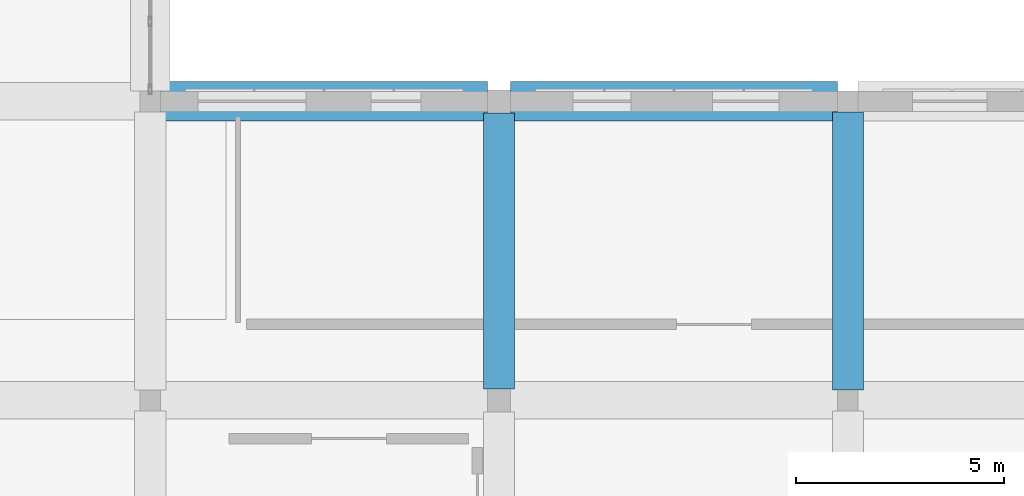
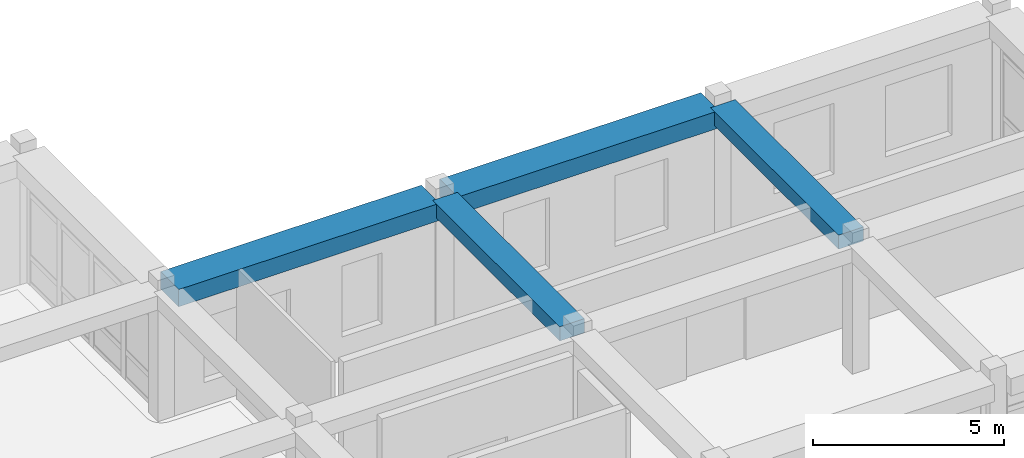
# One storey, part 59 of 121: 4 beams.
"""IFC4 building model written with IfcOpenShell, lengths in metres."""

import ifcopenshell
import ifcopenshell.guid

model = None  # the IFC model being written
_history = None  # IfcOwnerHistory: only IFC2X3 demands one
_inside = {}  # id of a spatial element -> (the spatial element, [elements in it])
_under = {}  # id of a project, library or spatial element -> (it, [spatial elements below it])
_declared = {}  # id of a project -> (the project, [libraries it declares])
_typed = {}  # id of a type object -> (the type object, [elements of that type])
_made_of = {}  # id of a material, layer set ... -> (it, [elements and type objects made of it])


def new_model(schema):
    """Start an empty IFC model of exactly this schema.

    Asked for "IFC4X3", IfcOpenShell would pick the latest addendum, in which some entities
    have other attributes; the version numbers below select the first issue.
    IFC2X3 requires an IfcOwnerHistory on every rooted entity: one is made here for all.
    """
    global model, _history
    if schema == "IFC4X3":
        model = ifcopenshell.file(schema_version=(4, 3, 0, 0))
    else:
        model = ifcopenshell.file(schema=schema)
    _inside.clear()
    _under.clear()
    _declared.clear()
    _typed.clear()
    _made_of.clear()
    _history = None
    if model.schema == "IFC2X3":
        org = make("IfcOrganization", Name="unknown")
        user = make(
            "IfcPersonAndOrganization",
            ThePerson=make("IfcPerson", FamilyName="unknown"),
            TheOrganization=org,
        )
        app = make(
            "IfcApplication",
            ApplicationDeveloper=org,
            Version="unknown",
            ApplicationFullName="unknown",
            ApplicationIdentifier="unknown",
        )
        _history = make(
            "IfcOwnerHistory",
            OwningUser=user,
            OwningApplication=app,
            ChangeAction="ADDED",
            CreationDate=0,
        )
    return model


def make(cls, **values):
    """One entity of the class cls with the attributes given. An attribute that is None is left unset."""
    return model.create_entity(
        cls, **{name: value for name, value in values.items() if value is not None}
    )


def rooted(cls, **values):
    """An entity with a GlobalId (a new one), such as an element, a storey or a relation."""
    return make(cls, GlobalId=ifcopenshell.guid.new(), OwnerHistory=_history, **values)


def si_unit(unit_type, name, prefix=None):
    """IfcSIUnit, for example si_unit("LENGTHUNIT", "METRE", prefix="MILLI")."""
    return make("IfcSIUnit", UnitType=unit_type, Prefix=prefix, Name=name)


def derived_unit(unit_type, elements):
    """IfcDerivedUnit: a product of units, each with its exponent."""
    return make(
        "IfcDerivedUnit",
        Elements=[
            make("IfcDerivedUnitElement", Unit=unit, Exponent=power)
            for unit, power in elements
        ],
        UnitType=unit_type,
    )


def assignment(units):
    """IfcUnitAssignment: the units of a project."""
    return None if units is None else make("IfcUnitAssignment", Units=units)


def point(xyz):
    """IfcCartesianPoint."""
    return None if xyz is None else make("IfcCartesianPoint", Coordinates=xyz)


def direction(xyz):
    """IfcDirection."""
    return None if xyz is None else make("IfcDirection", DirectionRatios=xyz)


def frame(location, z_axis=None, x_axis=None):
    """IfcAxis2Placement3D, a coordinate frame: its origin and axes. An axis left out is left unset."""
    return make(
        "IfcAxis2Placement3D",
        Location=point(location),
        Axis=direction(z_axis),
        RefDirection=direction(x_axis),
    )


def frame_2d(location, x_axis=None):
    """IfcAxis2Placement2D, a coordinate frame in the plane: its origin and x axis."""
    return make(
        "IfcAxis2Placement2D", Location=point(location), RefDirection=direction(x_axis)
    )


def origin():
    """The frame at (0, 0, 0) with its axes left unset."""
    return frame((0.0, 0.0, 0.0))


def origin_2d():
    """The frame at (0, 0) in the plane with its x axis left unset."""
    return frame_2d((0.0, 0.0))


def place(relative_to, where):
    """IfcLocalPlacement: puts the frame where relative to a parent placement (None: the world)."""
    return make(
        "IfcLocalPlacement", PlacementRelTo=relative_to, RelativePlacement=where
    )


def context(
    kind, dimensions, precision=None, world=None, true_north=None, identifier=None
):
    """IfcGeometricRepresentationContext, for example the 3D "Model" context."""
    return make(
        "IfcGeometricRepresentationContext",
        ContextIdentifier=identifier,
        ContextType=kind,
        CoordinateSpaceDimension=dimensions,
        Precision=precision,
        WorldCoordinateSystem=world,
        TrueNorth=true_north,
    )


def subcontext(parent, identifier, kind, view, scale=None):
    """IfcGeometricRepresentationSubContext, for example "Body" below "Model"."""
    return make(
        "IfcGeometricRepresentationSubContext",
        ContextIdentifier=identifier,
        ContextType=kind,
        ParentContext=parent,
        TargetScale=scale,
        TargetView=view,
    )


def project(units=None, contexts=None):
    """IfcProject with its units and contexts."""
    return rooted(
        "IfcProject",
        Name="project",
        RepresentationContexts=contexts,
        UnitsInContext=assignment(units),
    )


def spatial(cls, under=None, at=None, **own):
    """A site, building, storey or space (cls), placed at a placement, below another one or the project."""
    s = rooted(cls, ObjectPlacement=at, **own)
    if under is not None:
        _under.setdefault(under.id(), (under, []))[1].append(s)
    return s


def profile(cls, at=None, kind="AREA", **sizes):
    """A parametric profile (cls). Its sizes go by their IFC names, for example OverallWidth=200.0."""
    return make(cls, ProfileType=kind, Position=at, **sizes)


def rectangle(**sizes):
    """IfcRectangleProfileDef."""
    return profile("IfcRectangleProfileDef", **sizes)


def extrude(swept, where, along, depth):
    """IfcExtrudedAreaSolid: the profile swept, set in the frame where, extruded along a direction by depth."""
    return make(
        "IfcExtrudedAreaSolid",
        SweptArea=swept,
        Position=where,
        ExtrudedDirection=direction(along),
        Depth=depth,
    )


def shape(context_of_items, identifier, shape_type, items):
    """IfcShapeRepresentation: the items that make up one representation, for example the "Body"."""
    return make(
        "IfcShapeRepresentation",
        ContextOfItems=context_of_items,
        RepresentationIdentifier=identifier,
        RepresentationType=shape_type,
        Items=items,
    )


def material(Name=None, Category=None):
    """IfcMaterial."""
    return make("IfcMaterial", Name=Name, Category=Category)


def material_profile(
    of_material, cross_section, Name=None, Category=None, Priority=None
):
    """IfcMaterialProfile: a cross section and its material."""
    return make(
        "IfcMaterialProfile",
        Name=Name,
        Material=of_material,
        Profile=cross_section,
        Priority=Priority,
        Category=Category,
    )


def profile_set(profiles, Name=None, composite=None):
    """IfcMaterialProfileSet."""
    return make(
        "IfcMaterialProfileSet",
        Name=Name,
        MaterialProfiles=profiles,
        CompositeProfile=composite,
    )


def made_of(thing, what):
    """Note that an element or type object is made of a material, layer set ...; save() writes the relation."""
    if what is not None:
        _made_of.setdefault(what.id(), (what, []))[1].append(thing)
    return thing


def type_object(cls, material=None, **own):
    """A type object (cls), such as IfcWallType, which elements share."""
    return made_of(rooted(cls, **own), material)


def element(
    cls,
    number,
    at=None,
    inside=None,
    cuts=None,
    type_object=None,
    material=None,
    context=None,
    identifier="Body",
    shape_type=None,
    held_by="IfcProductDefinitionShape",
    body=None,
    shapes=None,
    **own,
):
    """One element of the class cls, such as IfcWall. Its Tag is "e" and its number.

    at: its placement. inside: the storey or other place that contains it. cuts: it is an
    opening in that element (IfcRelVoidsElement). A single representation is given by context,
    identifier, shape_type and body (its items); several are given by shapes. held_by: the class
    of the entity that holds the representations. save() writes the other relations.
    """
    e = rooted(cls, Tag="e%d" % number, ObjectPlacement=at, **own)
    if body is not None:
        shapes = [shape(context, identifier, shape_type, body)]
    if shapes is not None:
        e.Representation = make(held_by, Representations=shapes)
    if inside is not None:
        _inside.setdefault(inside.id(), (inside, []))[1].append(e)
    if cuts is not None:
        rooted(
            "IfcRelVoidsElement", RelatingBuildingElement=cuts, RelatedOpeningElement=e
        )
    if type_object is not None:
        _typed.setdefault(type_object.id(), (type_object, []))[1].append(e)
    return made_of(e, material)


def aggregate(whole, parts):
    """IfcRelAggregates: a whole, such as a stair, and the parts it consists of."""
    return rooted("IfcRelAggregates", RelatingObject=whole, RelatedObjects=parts)


def save(model, path):
    """Write the relations noted so far, then the file.

    IfcRelAggregates (storeys below a building ...), IfcRelContainedInSpatialStructure (elements
    in a storey), IfcRelDefinesByType, IfcRelAssociatesMaterial and IfcRelDeclares: one each for
    every whole, place, type object, material and project.
    """
    for whole, parts in _under.values():
        aggregate(whole, parts)
    for where, things in _inside.values():
        rooted(
            "IfcRelContainedInSpatialStructure",
            RelatedElements=things,
            RelatingStructure=where,
        )
    for kind, things in _typed.values():
        rooted("IfcRelDefinesByType", RelatedObjects=things, RelatingType=kind)
    for what, things in _made_of.values():
        rooted("IfcRelAssociatesMaterial", RelatedObjects=things, RelatingMaterial=what)
    for by, libraries in _declared.values():
        rooted("IfcRelDeclares", RelatingContext=by, RelatedDefinitions=libraries)
    model.write(path)


model = new_model("IFC4")

# Units and contexts
model_context = context("Model", 3, precision=1e-05, world=origin(), true_north=direction((0.0, 1.0)))
body_context = subcontext(model_context, "Body", "Model", "MODEL_VIEW")
ifc_project = project(units=[si_unit("LENGTHUNIT", "METRE"), si_unit("AREAUNIT", "SQUARE_METRE"), si_unit("VOLUMEUNIT", "CUBIC_METRE"), si_unit("PLANEANGLEUNIT", "RADIAN"), si_unit("MASSUNIT", "GRAM", prefix="KILO"), derived_unit("THERMALTRANSMITTANCEUNIT", [(si_unit("POWERUNIT", "WATT"), 1), (si_unit("LENGTHUNIT", "METRE"), -2), (si_unit("THERMODYNAMICTEMPERATUREUNIT", "KELVIN"), -1)])], contexts=[model_context])

# Site, building, storey
site_placement = place(None, origin())
site = spatial("IfcSite", under=ifc_project, at=site_placement, CompositionType="ELEMENT")
building_placement = place(site_placement, origin())
building = spatial("IfcBuilding", under=site, at=building_placement, Name="Veybourne Emporium", CompositionType="ELEMENT")
storey_placement = place(building_placement, frame((0.0, 0.0, 5.39990234375)))
storey = spatial("IfcBuildingStorey", under=building, at=storey_placement, Name="L01", CompositionType="ELEMENT", Elevation=5.39990234375)

# Beams
ifc_material = material(Name="Concrete C32/40", Category="concrete")
ifc_material_profile_1 = material_profile(ifc_material, rectangle(XDim=0.75, YDim=0.449951171875, at=origin_2d()), Name="RC 750x450")
ifc_profile_set_1 = profile_set([ifc_material_profile_1], Name="Concrete C32/40")
beam_type_1 = type_object("IfcBeamType", Name="RCBeam_BB-04", PredefinedType="BEAM", material=ifc_profile_set_1)
beam_1_placement = place(storey_placement, frame((151.199951171875, 14.675048828125, 3.955078125), z_axis=(0.0, 1.0, 0.0), x_axis=(-1.0, 0.0, 0.0)))
element("IfcBeam", 1, at=beam_1_placement, inside=storey, type_object=beam_type_1, Name="L01 Y-grid beam BB-04 (18,2)", PredefinedType="BEAM", context=body_context, shape_type="SweptSolid", body=[
    extrude(rectangle(XDim=0.75, YDim=0.449951171875, at=origin_2d()), origin(), (0.0, 0.0, 1.0), 6.64990234375),
])
beam_2_placement = place(storey_placement, frame((159.60009765625, 14.64990234375, 3.955078125), z_axis=(0.0, 1.0, 0.0), x_axis=(-1.0, 0.0, 0.0)))
element("IfcBeam", 2, at=beam_2_placement, inside=storey, type_object=beam_type_1, Name="L01 Y-grid beam BB-04 (19,2)", PredefinedType="BEAM", context=body_context, shape_type="SweptSolid", body=[
    extrude(rectangle(XDim=0.75, YDim=0.449951171875, at=origin_2d()), origin(), (0.0, 0.0, 1.0), 6.7001953125),
])
ifc_material_profile_2 = material_profile(ifc_material, rectangle(XDim=0.949951171875, YDim=0.550048828125, at=origin_2d()), Name="RC 950x550")
ifc_profile_set_2 = profile_set([ifc_material_profile_2], Name="Concrete C32/40")
beam_type_2 = type_object("IfcBeamType", Name="RCBeam_EB-01", PredefinedType="SPANDREL", material=ifc_profile_set_2)
for number, where, z_axis, x_axis, name in (
    (3, (143.050048828125, 21.60009765625, 3.905029296875), (1.0, 0.0, 0.0), (0.0, 1.0, 0.0), "L01 X-grid beam EB-01 (17,3)"),
    (4, (151.47509765625, 21.60009765625, 3.905029296875), (1.0, 0.0, 0.0), (0.0, 1.0, 0.0), "L01 X-grid beam EB-01 (18,3)"),
):
    element("IfcBeam", number, at=place(storey_placement, frame(where, z_axis=z_axis, x_axis=x_axis)), inside=storey, type_object=beam_type_2, Name=name, PredefinedType="SPANDREL", context=body_context, shape_type="SweptSolid", body=[
        extrude(rectangle(XDim=0.949951171875, YDim=0.550048828125, at=origin_2d()), origin(), (0.0, 0.0, 1.0), 7.875),
    ])

save(model, "model.ifc")
